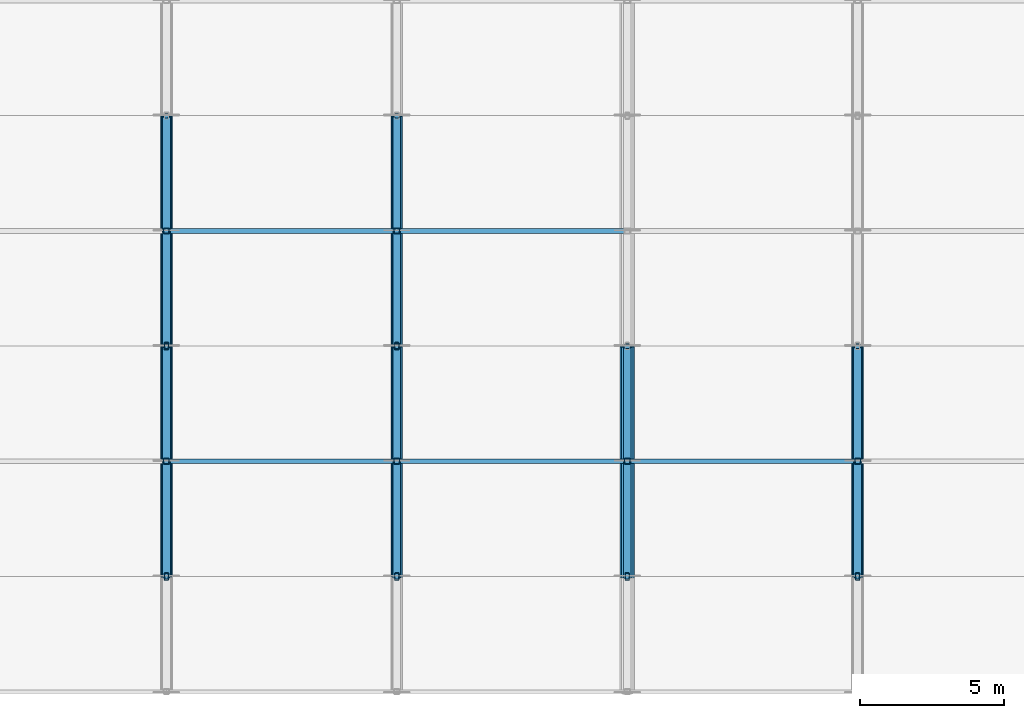
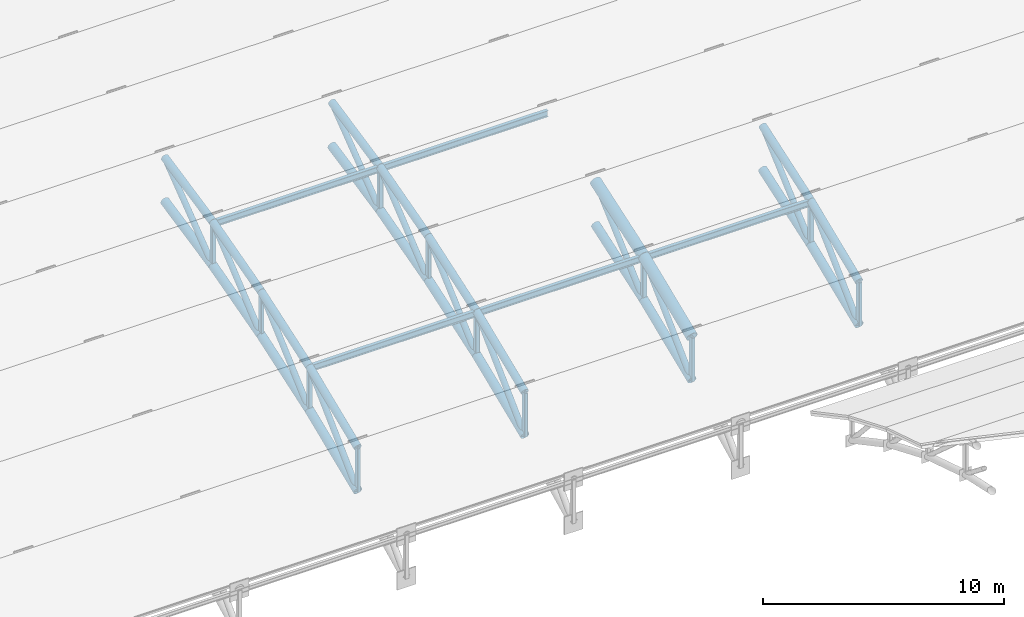
# One storey, part 46 of 98: 53 members.
"""IFC4 building model written with IfcOpenShell, lengths in metres."""

from ifc_helpers import new_model, si_unit, direction, frame, origin, origin_2d, place, context, subcontext, project, spatial, hollow_rectangle, hollow_circle, i_section, extrude, material, material_profile, profile_set, type_object, element, save


model = new_model("IFC4")

# Units and contexts
model_context = context("Model", 3, precision=1e-05, world=origin(), true_north=direction((0.0, 1.0)))
body_context = subcontext(model_context, "Body", "Model", "MODEL_VIEW")
ifc_project = project(units=[si_unit("LENGTHUNIT", "METRE"), si_unit("AREAUNIT", "SQUARE_METRE"), si_unit("VOLUMEUNIT", "CUBIC_METRE"), si_unit("PLANEANGLEUNIT", "RADIAN"), si_unit("MASSUNIT", "GRAM", prefix="KILO")], contexts=[model_context])

# Site, building, storey
site_placement = place(None, origin())
site = spatial("IfcSite", under=ifc_project, at=site_placement, CompositionType="ELEMENT")
building_placement = place(site_placement, origin())
building = spatial("IfcBuilding", under=site, at=building_placement, Name="Tlacozan Convention Centre", CompositionType="ELEMENT")
storey_placement = place(building_placement, frame((0.0, 0.0, 25.800048828125)))
storey = spatial("IfcBuildingStorey", under=building, at=storey_placement, Name="Roof", CompositionType="ELEMENT", Elevation=25.800048828125)

# Members
ifc_material_1 = material(Name="Steel ASTM A500 Grade C", Category="steel")
ifc_material_profile_1 = material_profile(ifc_material_1, hollow_circle(Radius=0.203125, WallThickness=0.015869140625, at=origin_2d()), Name="OC 406.4x15.9")
ifc_profile_set_1 = profile_set([ifc_material_profile_1], Name="Steel ASTM A500 Grade C")
member_type_1 = type_object("IfcMemberType", Name="Arch Bottom Chord OC 406.4x15.9", PredefinedType="CHORD", material=ifc_profile_set_1)
member_1_placement = place(storey_placement, frame((128.0, 66.0, -10.832275390625), z_axis=(0.0, 0.923948802258, 0.382516157575), x_axis=(-1.0, 0.0, 0.0)))
element("IfcMember", 1, at=member_1_placement, inside=storey, type_object=member_type_1, Name="V2A Roof Truss 17 Bottom Chord 2", PredefinedType="CHORD", context=body_context, shape_type="SweptSolid", body=[
    extrude(hollow_circle(Radius=0.203125, WallThickness=0.015869140625, at=origin_2d()), origin(), (0.0, 0.0, 1.0), 4.329345703125),
])
member_2_placement = place(storey_placement, frame((128.0, 70.0, -9.17626953125), z_axis=(0.0, 0.946164915813, 0.323684958077), x_axis=(-1.0, 0.0, 0.0)))
element("IfcMember", 2, at=member_2_placement, inside=storey, type_object=member_type_1, Name="V2A Roof Truss 17 Bottom Chord 3", PredefinedType="CHORD", context=body_context, shape_type="SweptSolid", body=[
    extrude(hollow_circle(Radius=0.203125, WallThickness=0.015869140625, at=origin_2d()), origin(), (0.0, 0.0, 1.0), 4.2275390625),
])
member_3_placement = place(storey_placement, frame((128.0, 74.0, -7.807861328125), z_axis=(0.0, 0.964289609145, 0.26485005134), x_axis=(-1.0, 0.0, 0.0)))
element("IfcMember", 3, at=member_3_placement, inside=storey, type_object=member_type_1, Name="V2A Roof Truss 17 Bottom Chord 4", PredefinedType="CHORD", context=body_context, shape_type="SweptSolid", body=[
    extrude(hollow_circle(Radius=0.203125, WallThickness=0.015869140625, at=origin_2d()), origin(), (0.0, 0.0, 1.0), 4.148193359375),
])
member_4_placement = place(storey_placement, frame((128.0, 78.0, -6.709228515625), z_axis=(0.0, 0.978552953366, 0.205995430674), x_axis=(-1.0, 0.0, 0.0)))
element("IfcMember", 4, at=member_4_placement, inside=storey, type_object=member_type_1, Name="V2A Roof Truss 17 Bottom Chord 5", PredefinedType="CHORD", context=body_context, shape_type="SweptSolid", body=[
    extrude(hollow_circle(Radius=0.203125, WallThickness=0.015869140625, at=origin_2d()), origin(), (0.0, 0.0, 1.0), 4.087646484375),
])
member_5_placement = place(storey_placement, frame((136.0, 66.0, -10.832275390625), z_axis=(0.0, 0.923948802258, 0.382516157575), x_axis=(-1.0, 0.0, 0.0)))
element("IfcMember", 5, at=member_5_placement, inside=storey, type_object=member_type_1, Name="V2A Roof Truss 18 Bottom Chord 2", PredefinedType="CHORD", context=body_context, shape_type="SweptSolid", body=[
    extrude(hollow_circle(Radius=0.203125, WallThickness=0.015869140625, at=origin_2d()), origin(), (0.0, 0.0, 1.0), 4.329345703125),
])
member_6_placement = place(storey_placement, frame((136.0, 70.0, -9.17626953125), z_axis=(0.0, 0.946164915813, 0.323684958077), x_axis=(-1.0, 0.0, 0.0)))
element("IfcMember", 6, at=member_6_placement, inside=storey, type_object=member_type_1, Name="V2A Roof Truss 18 Bottom Chord 3", PredefinedType="CHORD", context=body_context, shape_type="SweptSolid", body=[
    extrude(hollow_circle(Radius=0.203125, WallThickness=0.015869140625, at=origin_2d()), origin(), (0.0, 0.0, 1.0), 4.2275390625),
])
member_7_placement = place(storey_placement, frame((136.0, 74.0, -7.807861328125), z_axis=(0.0, 0.964289609145, 0.26485005134), x_axis=(-1.0, 0.0, 0.0)))
element("IfcMember", 7, at=member_7_placement, inside=storey, type_object=member_type_1, Name="V2A Roof Truss 18 Bottom Chord 4", PredefinedType="CHORD", context=body_context, shape_type="SweptSolid", body=[
    extrude(hollow_circle(Radius=0.203125, WallThickness=0.015869140625, at=origin_2d()), origin(), (0.0, 0.0, 1.0), 4.148193359375),
])
member_8_placement = place(storey_placement, frame((136.0, 78.0, -6.709228515625), z_axis=(0.0, 0.978552953366, 0.205995430674), x_axis=(-1.0, 0.0, 0.0)))
element("IfcMember", 8, at=member_8_placement, inside=storey, type_object=member_type_1, Name="V2A Roof Truss 18 Bottom Chord 5", PredefinedType="CHORD", context=body_context, shape_type="SweptSolid", body=[
    extrude(hollow_circle(Radius=0.203125, WallThickness=0.015869140625, at=origin_2d()), origin(), (0.0, 0.0, 1.0), 4.087646484375),
])
member_9_placement = place(storey_placement, frame((144.0, 66.0, -10.832275390625), z_axis=(0.0, 0.923948802258, 0.382516157575), x_axis=(-1.0, 0.0, 0.0)))
element("IfcMember", 9, at=member_9_placement, inside=storey, type_object=member_type_1, Name="V2A Roof Truss 19 Bottom Chord 2", PredefinedType="CHORD", context=body_context, shape_type="SweptSolid", body=[
    extrude(hollow_circle(Radius=0.203125, WallThickness=0.015869140625, at=origin_2d()), origin(), (0.0, 0.0, 1.0), 4.329345703125),
])
member_10_placement = place(storey_placement, frame((144.0, 70.0, -9.17626953125), z_axis=(0.0, 0.946164915813, 0.323684958077), x_axis=(-1.0, 0.0, 0.0)))
element("IfcMember", 10, at=member_10_placement, inside=storey, type_object=member_type_1, Name="V2A Roof Truss 19 Bottom Chord 3", PredefinedType="CHORD", context=body_context, shape_type="SweptSolid", body=[
    extrude(hollow_circle(Radius=0.203125, WallThickness=0.015869140625, at=origin_2d()), origin(), (0.0, 0.0, 1.0), 4.2275390625),
])
member_11_placement = place(storey_placement, frame((152.0, 66.0, -10.832275390625), z_axis=(0.0, 0.923948802258, 0.382516157575), x_axis=(-1.0, 0.0, 0.0)))
element("IfcMember", 11, at=member_11_placement, inside=storey, type_object=member_type_1, Name="V2A Roof Truss 20 Bottom Chord 2", PredefinedType="CHORD", context=body_context, shape_type="SweptSolid", body=[
    extrude(hollow_circle(Radius=0.203125, WallThickness=0.015869140625, at=origin_2d()), origin(), (0.0, 0.0, 1.0), 4.329345703125),
])
member_12_placement = place(storey_placement, frame((152.0, 70.0, -9.17626953125), z_axis=(0.0, 0.946164915813, 0.323684958077), x_axis=(-1.0, 0.0, 0.0)))
element("IfcMember", 12, at=member_12_placement, inside=storey, type_object=member_type_1, Name="V2A Roof Truss 20 Bottom Chord 3", PredefinedType="CHORD", context=body_context, shape_type="SweptSolid", body=[
    extrude(hollow_circle(Radius=0.203125, WallThickness=0.015869140625, at=origin_2d()), origin(), (0.0, 0.0, 1.0), 4.2275390625),
])
ifc_material_profile_2 = material_profile(ifc_material_1, hollow_circle(Radius=0.25390625, WallThickness=0.01904296875, at=origin_2d()), Name="OC 508.0x19.1")
ifc_profile_set_2 = profile_set([ifc_material_profile_2], Name="Steel ASTM A500 Grade C")
member_type_2 = type_object("IfcMemberType", Name="Arch Top Chord OC 508x19.1", PredefinedType="CHORD", material=ifc_profile_set_2)
member_13_placement = place(storey_placement, frame((144.0, 66.0, -8.63232421875), z_axis=(0.0, 0.923928870591, 0.382564297979), x_axis=(-1.0, 0.0, 0.0)))
element("IfcMember", 13, at=member_13_placement, inside=storey, type_object=member_type_2, Name="V2A Roof Truss 19 Top Chord 2", PredefinedType="CHORD", context=body_context, shape_type="SweptSolid", body=[
    extrude(hollow_circle(Radius=0.25390625, WallThickness=0.01904296875, at=origin_2d()), origin(), (0.0, 0.0, 1.0), 4.329345703125),
])
member_14_placement = place(storey_placement, frame((144.0, 70.0, -6.97607421875), z_axis=(0.0, 0.946164915813, 0.323684958077), x_axis=(-1.0, 0.0, 0.0)))
element("IfcMember", 14, at=member_14_placement, inside=storey, type_object=member_type_2, Name="V2A Roof Truss 19 Top Chord 3", PredefinedType="CHORD", context=body_context, shape_type="SweptSolid", body=[
    extrude(hollow_circle(Radius=0.25390625, WallThickness=0.01904296875, at=origin_2d()), origin(), (0.0, 0.0, 1.0), 4.2275390625),
])
ifc_material_profile_3 = material_profile(ifc_material_1, hollow_circle(Radius=0.136474609375, WallThickness=0.0126953125, at=origin_2d()), Name="OC 273.1x12.7")
ifc_profile_set_3 = profile_set([ifc_material_profile_3], Name="Steel ASTM A500 Grade C")
member_type_3 = type_object("IfcMemberType", Name="Arch Web Diagonal OC 273.1x12.7", PredefinedType="BRACE", material=ifc_profile_set_3)
member_15_placement = place(storey_placement, frame((128.0, 66.0, -10.832275390625), z_axis=(0.0, 0.719928977367, 0.694047741547), x_axis=(-1.0, 0.0, 0.0)))
element("IfcMember", 15, at=member_15_placement, inside=storey, type_object=member_type_3, Name="V2A Roof Truss 17 Web Diagonal 2", PredefinedType="BRACE", context=body_context, shape_type="SweptSolid", body=[
    extrude(hollow_circle(Radius=0.136474609375, WallThickness=0.0126953125, at=origin_2d()), origin(), (0.0, 0.0, 1.0), 5.55615234375),
])
member_16_placement = place(storey_placement, frame((128.0, 70.0, -9.17626953125), z_axis=(0.0, 0.746199427712, 0.665722475272), x_axis=(-1.0, 0.0, 0.0)))
element("IfcMember", 16, at=member_16_placement, inside=storey, type_object=member_type_3, Name="V2A Roof Truss 17 Web Diagonal 3", PredefinedType="BRACE", context=body_context, shape_type="SweptSolid", body=[
    extrude(hollow_circle(Radius=0.136474609375, WallThickness=0.0126953125, at=origin_2d()), origin(), (0.0, 0.0, 1.0), 5.360595703125),
])
member_17_placement = place(storey_placement, frame((128.0, 74.0, -7.807861328125), z_axis=(0.0, 0.771507331308, 0.63622043172), x_axis=(-1.0, 0.0, 0.0)))
element("IfcMember", 17, at=member_17_placement, inside=storey, type_object=member_type_3, Name="V2A Roof Truss 17 Web Diagonal 4", PredefinedType="BRACE", context=body_context, shape_type="SweptSolid", body=[
    extrude(hollow_circle(Radius=0.136474609375, WallThickness=0.0126953125, at=origin_2d()), origin(), (0.0, 0.0, 1.0), 5.1845703125),
])
member_18_placement = place(storey_placement, frame((128.0, 78.0, -6.709228515625), z_axis=(0.0, 0.795971176065, 0.605334524766), x_axis=(-1.0, 0.0, 0.0)))
element("IfcMember", 18, at=member_18_placement, inside=storey, type_object=member_type_3, Name="V2A Roof Truss 17 Web Diagonal 5", PredefinedType="BRACE", context=body_context, shape_type="SweptSolid", body=[
    extrude(hollow_circle(Radius=0.136474609375, WallThickness=0.0126953125, at=origin_2d()), origin(), (0.0, 0.0, 1.0), 5.025390625),
])
member_19_placement = place(storey_placement, frame((136.0, 66.0, -10.832275390625), z_axis=(0.0, 0.719928977367, 0.694047741547), x_axis=(-1.0, 0.0, 0.0)))
element("IfcMember", 19, at=member_19_placement, inside=storey, type_object=member_type_3, Name="V2A Roof Truss 18 Web Diagonal 2", PredefinedType="BRACE", context=body_context, shape_type="SweptSolid", body=[
    extrude(hollow_circle(Radius=0.136474609375, WallThickness=0.0126953125, at=origin_2d()), origin(), (0.0, 0.0, 1.0), 5.55615234375),
])
member_20_placement = place(storey_placement, frame((136.0, 70.0, -9.17626953125), z_axis=(0.0, 0.746199427712, 0.665722475272), x_axis=(-1.0, 0.0, 0.0)))
element("IfcMember", 20, at=member_20_placement, inside=storey, type_object=member_type_3, Name="V2A Roof Truss 18 Web Diagonal 3", PredefinedType="BRACE", context=body_context, shape_type="SweptSolid", body=[
    extrude(hollow_circle(Radius=0.136474609375, WallThickness=0.0126953125, at=origin_2d()), origin(), (0.0, 0.0, 1.0), 5.360595703125),
])
member_21_placement = place(storey_placement, frame((136.0, 74.0, -7.807861328125), z_axis=(0.0, 0.771507331308, 0.63622043172), x_axis=(-1.0, 0.0, 0.0)))
element("IfcMember", 21, at=member_21_placement, inside=storey, type_object=member_type_3, Name="V2A Roof Truss 18 Web Diagonal 4", PredefinedType="BRACE", context=body_context, shape_type="SweptSolid", body=[
    extrude(hollow_circle(Radius=0.136474609375, WallThickness=0.0126953125, at=origin_2d()), origin(), (0.0, 0.0, 1.0), 5.1845703125),
])
member_22_placement = place(storey_placement, frame((136.0, 78.0, -6.709228515625), z_axis=(0.0, 0.795971176065, 0.605334524766), x_axis=(-1.0, 0.0, 0.0)))
element("IfcMember", 22, at=member_22_placement, inside=storey, type_object=member_type_3, Name="V2A Roof Truss 18 Web Diagonal 5", PredefinedType="BRACE", context=body_context, shape_type="SweptSolid", body=[
    extrude(hollow_circle(Radius=0.136474609375, WallThickness=0.0126953125, at=origin_2d()), origin(), (0.0, 0.0, 1.0), 5.025390625),
])
member_23_placement = place(storey_placement, frame((144.0, 66.0, -10.832275390625), z_axis=(0.0, 0.719928977367, 0.694047741547), x_axis=(-1.0, 0.0, 0.0)))
element("IfcMember", 23, at=member_23_placement, inside=storey, type_object=member_type_3, Name="V2A Roof Truss 19 Web Diagonal 2", PredefinedType="BRACE", context=body_context, shape_type="SweptSolid", body=[
    extrude(hollow_circle(Radius=0.136474609375, WallThickness=0.0126953125, at=origin_2d()), origin(), (0.0, 0.0, 1.0), 5.55615234375),
])
member_24_placement = place(storey_placement, frame((144.0, 70.0, -9.17626953125), z_axis=(0.0, 0.746199427712, 0.665722475272), x_axis=(-1.0, 0.0, 0.0)))
element("IfcMember", 24, at=member_24_placement, inside=storey, type_object=member_type_3, Name="V2A Roof Truss 19 Web Diagonal 3", PredefinedType="BRACE", context=body_context, shape_type="SweptSolid", body=[
    extrude(hollow_circle(Radius=0.136474609375, WallThickness=0.0126953125, at=origin_2d()), origin(), (0.0, 0.0, 1.0), 5.360595703125),
])
member_25_placement = place(storey_placement, frame((152.0, 66.0, -10.832275390625), z_axis=(0.0, 0.719928977367, 0.694047741547), x_axis=(-1.0, 0.0, 0.0)))
element("IfcMember", 25, at=member_25_placement, inside=storey, type_object=member_type_3, Name="V2A Roof Truss 20 Web Diagonal 2", PredefinedType="BRACE", context=body_context, shape_type="SweptSolid", body=[
    extrude(hollow_circle(Radius=0.136474609375, WallThickness=0.0126953125, at=origin_2d()), origin(), (0.0, 0.0, 1.0), 5.55615234375),
])
member_26_placement = place(storey_placement, frame((152.0, 70.0, -9.17626953125), z_axis=(0.0, 0.746199427712, 0.665722475272), x_axis=(-1.0, 0.0, 0.0)))
element("IfcMember", 26, at=member_26_placement, inside=storey, type_object=member_type_3, Name="V2A Roof Truss 20 Web Diagonal 3", PredefinedType="BRACE", context=body_context, shape_type="SweptSolid", body=[
    extrude(hollow_circle(Radius=0.136474609375, WallThickness=0.0126953125, at=origin_2d()), origin(), (0.0, 0.0, 1.0), 5.360595703125),
])
ifc_material_profile_4 = material_profile(ifc_material_1, hollow_rectangle(XDim=0.203125, YDim=0.203125, WallThickness=0.0126953125, InnerFilletRadius=0.0126953125, OuterFilletRadius=0.02490234375, at=origin_2d()), Name="OR 203x203x12.7")
ifc_profile_set_4 = profile_set([ifc_material_profile_4], Name="Steel ASTM A500 Grade C")
member_type_4 = type_object("IfcMemberType", Name="Arch Web Strut OR 203x203x12.7", PredefinedType="STRUT", material=ifc_profile_set_4)
member_27_placement = place(storey_placement, frame((128.0, 70.0, -9.17626953125), z_axis=(0.0, 0.0, 1.0), x_axis=(1.0, 0.0, 0.0)))
element("IfcMember", 27, at=member_27_placement, inside=storey, type_object=member_type_4, Name="V2A Roof Truss 17 Vertical Strut 3", PredefinedType="STRUT", context=body_context, shape_type="SweptSolid", body=[
    extrude(hollow_rectangle(XDim=0.203125, YDim=0.203125, WallThickness=0.0126953125, InnerFilletRadius=0.0126953125, OuterFilletRadius=0.02490234375, at=origin_2d()), origin(), (0.0, 0.0, 1.0), 2.2001953125),
])
member_28_placement = place(storey_placement, frame((128.0, 78.0, -6.709228515625), z_axis=(0.0, 0.0, 1.0), x_axis=(1.0, 0.0, 0.0)))
element("IfcMember", 28, at=member_28_placement, inside=storey, type_object=member_type_4, Name="V2A Roof Truss 17 Vertical Strut 5", PredefinedType="STRUT", context=body_context, shape_type="SweptSolid", body=[
    extrude(hollow_rectangle(XDim=0.203125, YDim=0.203125, WallThickness=0.0126953125, InnerFilletRadius=0.0126953125, OuterFilletRadius=0.02490234375, at=origin_2d()), origin(), (0.0, 0.0, 1.0), 2.199951171875),
])
member_29_placement = place(storey_placement, frame((136.0, 70.0, -9.17626953125), z_axis=(0.0, 0.0, 1.0), x_axis=(1.0, 0.0, 0.0)))
element("IfcMember", 29, at=member_29_placement, inside=storey, type_object=member_type_4, Name="V2A Roof Truss 18 Vertical Strut 3", PredefinedType="STRUT", context=body_context, shape_type="SweptSolid", body=[
    extrude(hollow_rectangle(XDim=0.203125, YDim=0.203125, WallThickness=0.0126953125, InnerFilletRadius=0.0126953125, OuterFilletRadius=0.02490234375, at=origin_2d()), origin(), (0.0, 0.0, 1.0), 2.2001953125),
])
member_30_placement = place(storey_placement, frame((136.0, 78.0, -6.709228515625), z_axis=(0.0, 0.0, 1.0), x_axis=(1.0, 0.0, 0.0)))
element("IfcMember", 30, at=member_30_placement, inside=storey, type_object=member_type_4, Name="V2A Roof Truss 18 Vertical Strut 5", PredefinedType="STRUT", context=body_context, shape_type="SweptSolid", body=[
    extrude(hollow_rectangle(XDim=0.203125, YDim=0.203125, WallThickness=0.0126953125, InnerFilletRadius=0.0126953125, OuterFilletRadius=0.02490234375, at=origin_2d()), origin(), (0.0, 0.0, 1.0), 2.199951171875),
])
for number, where, z_axis, x_axis, name in (
    (31, (144.0, 70.0, -9.17626953125), (0.0, 0.0, 1.0), (1.0, 0.0, 0.0), "V2A Roof Truss 19 Vertical Strut 3"),
    (32, (152.0, 70.0, -9.17626953125), (0.0, 0.0, 1.0), (1.0, 0.0, 0.0), "V2A Roof Truss 20 Vertical Strut 3"),
):
    element("IfcMember", number, at=place(storey_placement, frame(where, z_axis=z_axis, x_axis=x_axis)), inside=storey, type_object=member_type_4, Name=name, PredefinedType="STRUT", context=body_context, shape_type="SweptSolid", body=[
        extrude(hollow_rectangle(XDim=0.203125, YDim=0.203125, WallThickness=0.0126953125, InnerFilletRadius=0.0126953125, OuterFilletRadius=0.02490234375, at=origin_2d()), origin(), (0.0, 0.0, 1.0), 2.2001953125),
    ])
ifc_material_2 = material(Name="Steel ASTM A992 Grade 50", Category="steel")
ifc_material_profile_5 = material_profile(ifc_material_2, i_section(OverallWidth=0.1669921875, OverallDepth=0.31689453125, WebThickness=0.007568359375, FlangeThickness=0.01318359375, FilletRadius=0.010009765625, at=origin_2d()), Name="IR 305x52.2")
ifc_profile_set_5 = profile_set([ifc_material_profile_5], Name="Steel ASTM A992 Grade 50")
member_type_5 = type_object("IfcMemberType", Name="Roof Purlin IR 305x52.2", PredefinedType="PURLIN", material=ifc_profile_set_5)
for number, where, z_axis, x_axis, name in (
    (33, (128.0, 70.0, -7.041259765625), (1.0, 0.0, 0.0), (0.0, 1.0, 0.0), "V2A Roof Truss Purlin 17.3"),
    (34, (128.0, 78.0, -4.57421875), (1.0, 0.0, 0.0), (0.0, 1.0, 0.0), "V2A Roof Truss Purlin 17.5"),
    (35, (136.0, 70.0, -7.041259765625), (1.0, 0.0, 0.0), (0.0, 1.0, 0.0), "V2A Roof Truss Purlin 18.3"),
    (36, (136.0, 78.0, -4.57421875), (1.0, 0.0, 0.0), (0.0, 1.0, 0.0), "V2A Roof Truss Purlin 18.5"),
    (37, (144.0, 70.0, -7.041259765625), (1.0, 0.0, 0.0), (0.0, 1.0, 0.0), "V2A Roof Truss Purlin 19.3"),
):
    element("IfcMember", number, at=place(storey_placement, frame(where, z_axis=z_axis, x_axis=x_axis)), inside=storey, type_object=member_type_5, Name=name, PredefinedType="PURLIN", context=body_context, shape_type="SweptSolid", body=[
        extrude(i_section(OverallWidth=0.1669921875, OverallDepth=0.31689453125, WebThickness=0.007568359375, FlangeThickness=0.01318359375, FilletRadius=0.010009765625, at=origin_2d()), origin(), (0.0, 0.0, 1.0), 8.0),
    ])
ifc_material_profile_6 = material_profile(ifc_material_1, hollow_circle(Radius=0.177734375, WallThickness=0.015869140625, at=origin_2d()), Name="OC 355.6x15.9")
ifc_profile_set_6 = profile_set([ifc_material_profile_6], Name="Steel ASTM A500 Grade C")
member_type_6 = type_object("IfcMemberType", Name="Secondary Arch Chord OC 355.6x15.9", PredefinedType="CHORD", material=ifc_profile_set_6)
member_31_placement = place(storey_placement, frame((128.0, 66.0, -8.63232421875), z_axis=(0.0, 0.923928870591, 0.382564297979), x_axis=(-1.0, 0.0, 0.0)))
element("IfcMember", 38, at=member_31_placement, inside=storey, type_object=member_type_6, Name="V2A Roof Truss 17 Top Chord 2", PredefinedType="CHORD", context=body_context, shape_type="SweptSolid", body=[
    extrude(hollow_circle(Radius=0.177734375, WallThickness=0.015869140625, at=origin_2d()), origin(), (0.0, 0.0, 1.0), 4.329345703125),
])
member_32_placement = place(storey_placement, frame((128.0, 70.0, -6.97607421875), z_axis=(0.0, 0.946164915813, 0.323684958077), x_axis=(-1.0, 0.0, 0.0)))
element("IfcMember", 39, at=member_32_placement, inside=storey, type_object=member_type_6, Name="V2A Roof Truss 17 Top Chord 3", PredefinedType="CHORD", context=body_context, shape_type="SweptSolid", body=[
    extrude(hollow_circle(Radius=0.177734375, WallThickness=0.015869140625, at=origin_2d()), origin(), (0.0, 0.0, 1.0), 4.2275390625),
])
member_33_placement = place(storey_placement, frame((128.0, 74.0, -5.607666015625), z_axis=(0.0, 0.964304639076, 0.264795322949), x_axis=(-1.0, 0.0, 0.0)))
element("IfcMember", 40, at=member_33_placement, inside=storey, type_object=member_type_6, Name="V2A Roof Truss 17 Top Chord 4", PredefinedType="CHORD", context=body_context, shape_type="SweptSolid", body=[
    extrude(hollow_circle(Radius=0.177734375, WallThickness=0.015869140625, at=origin_2d()), origin(), (0.0, 0.0, 1.0), 4.14794921875),
])
member_34_placement = place(storey_placement, frame((128.0, 78.0, -4.50927734375), z_axis=(0.0, 0.978552953366, 0.205995430674), x_axis=(-1.0, 0.0, 0.0)))
element("IfcMember", 41, at=member_34_placement, inside=storey, type_object=member_type_6, Name="V2A Roof Truss 17 Top Chord 5", PredefinedType="CHORD", context=body_context, shape_type="SweptSolid", body=[
    extrude(hollow_circle(Radius=0.177734375, WallThickness=0.015869140625, at=origin_2d()), origin(), (0.0, 0.0, 1.0), 4.087646484375),
])
member_35_placement = place(storey_placement, frame((136.0, 66.0, -8.63232421875), z_axis=(0.0, 0.923928870591, 0.382564297979), x_axis=(-1.0, 0.0, 0.0)))
element("IfcMember", 42, at=member_35_placement, inside=storey, type_object=member_type_6, Name="V2A Roof Truss 18 Top Chord 2", PredefinedType="CHORD", context=body_context, shape_type="SweptSolid", body=[
    extrude(hollow_circle(Radius=0.177734375, WallThickness=0.015869140625, at=origin_2d()), origin(), (0.0, 0.0, 1.0), 4.329345703125),
])
member_36_placement = place(storey_placement, frame((136.0, 70.0, -6.97607421875), z_axis=(0.0, 0.946164915813, 0.323684958077), x_axis=(-1.0, 0.0, 0.0)))
element("IfcMember", 43, at=member_36_placement, inside=storey, type_object=member_type_6, Name="V2A Roof Truss 18 Top Chord 3", PredefinedType="CHORD", context=body_context, shape_type="SweptSolid", body=[
    extrude(hollow_circle(Radius=0.177734375, WallThickness=0.015869140625, at=origin_2d()), origin(), (0.0, 0.0, 1.0), 4.2275390625),
])
member_37_placement = place(storey_placement, frame((136.0, 74.0, -5.607666015625), z_axis=(0.0, 0.964304639076, 0.264795322949), x_axis=(-1.0, 0.0, 0.0)))
element("IfcMember", 44, at=member_37_placement, inside=storey, type_object=member_type_6, Name="V2A Roof Truss 18 Top Chord 4", PredefinedType="CHORD", context=body_context, shape_type="SweptSolid", body=[
    extrude(hollow_circle(Radius=0.177734375, WallThickness=0.015869140625, at=origin_2d()), origin(), (0.0, 0.0, 1.0), 4.14794921875),
])
member_38_placement = place(storey_placement, frame((136.0, 78.0, -4.50927734375), z_axis=(0.0, 0.978552953366, 0.205995430674), x_axis=(-1.0, 0.0, 0.0)))
element("IfcMember", 45, at=member_38_placement, inside=storey, type_object=member_type_6, Name="V2A Roof Truss 18 Top Chord 5", PredefinedType="CHORD", context=body_context, shape_type="SweptSolid", body=[
    extrude(hollow_circle(Radius=0.177734375, WallThickness=0.015869140625, at=origin_2d()), origin(), (0.0, 0.0, 1.0), 4.087646484375),
])
member_39_placement = place(storey_placement, frame((152.0, 66.0, -8.63232421875), z_axis=(0.0, 0.923928870591, 0.382564297979), x_axis=(-1.0, 0.0, 0.0)))
element("IfcMember", 46, at=member_39_placement, inside=storey, type_object=member_type_6, Name="V2A Roof Truss 20 Top Chord 2", PredefinedType="CHORD", context=body_context, shape_type="SweptSolid", body=[
    extrude(hollow_circle(Radius=0.177734375, WallThickness=0.015869140625, at=origin_2d()), origin(), (0.0, 0.0, 1.0), 4.329345703125),
])
member_40_placement = place(storey_placement, frame((152.0, 70.0, -6.97607421875), z_axis=(0.0, 0.946164915813, 0.323684958077), x_axis=(-1.0, 0.0, 0.0)))
element("IfcMember", 47, at=member_40_placement, inside=storey, type_object=member_type_6, Name="V2A Roof Truss 20 Top Chord 3", PredefinedType="CHORD", context=body_context, shape_type="SweptSolid", body=[
    extrude(hollow_circle(Radius=0.177734375, WallThickness=0.015869140625, at=origin_2d()), origin(), (0.0, 0.0, 1.0), 4.2275390625),
])
ifc_material_profile_7 = material_profile(ifc_material_1, hollow_rectangle(XDim=0.15234375, YDim=0.25390625, WallThickness=0.0126953125, InnerFilletRadius=0.0126953125, OuterFilletRadius=0.02490234375, at=origin_2d()), Name="OR 254x152x12.7")
ifc_profile_set_7 = profile_set([ifc_material_profile_7], Name="Steel ASTM A500 Grade C")
member_type_7 = type_object("IfcMemberType", Name="Truss Secondary Strut OR 254x152x12.7", PredefinedType="STRUT", material=ifc_profile_set_7)
member_41_placement = place(storey_placement, frame((128.0, 66.0, -10.832275390625), z_axis=(0.0, 0.0, 1.0), x_axis=(1.0, 0.0, 0.0)))
element("IfcMember", 48, at=member_41_placement, inside=storey, type_object=member_type_7, Name="V2A Roof Truss 17 Vertical Strut 2", PredefinedType="STRUT", context=body_context, shape_type="SweptSolid", body=[
    extrude(hollow_rectangle(XDim=0.15234375, YDim=0.25390625, WallThickness=0.0126953125, InnerFilletRadius=0.0126953125, OuterFilletRadius=0.02490234375, at=origin_2d()), origin(), (0.0, 0.0, 1.0), 2.199951171875),
])
member_42_placement = place(storey_placement, frame((128.0, 74.0, -7.807861328125), z_axis=(0.0, 0.0, 1.0), x_axis=(1.0, 0.0, 0.0)))
element("IfcMember", 49, at=member_42_placement, inside=storey, type_object=member_type_7, Name="V2A Roof Truss 17 Vertical Strut 4", PredefinedType="STRUT", context=body_context, shape_type="SweptSolid", body=[
    extrude(hollow_rectangle(XDim=0.15234375, YDim=0.25390625, WallThickness=0.0126953125, InnerFilletRadius=0.0126953125, OuterFilletRadius=0.02490234375, at=origin_2d()), origin(), (0.0, 0.0, 1.0), 2.2001953125),
])
member_43_placement = place(storey_placement, frame((136.0, 66.0, -10.832275390625), z_axis=(0.0, 0.0, 1.0), x_axis=(1.0, 0.0, 0.0)))
element("IfcMember", 50, at=member_43_placement, inside=storey, type_object=member_type_7, Name="V2A Roof Truss 18 Vertical Strut 2", PredefinedType="STRUT", context=body_context, shape_type="SweptSolid", body=[
    extrude(hollow_rectangle(XDim=0.15234375, YDim=0.25390625, WallThickness=0.0126953125, InnerFilletRadius=0.0126953125, OuterFilletRadius=0.02490234375, at=origin_2d()), origin(), (0.0, 0.0, 1.0), 2.199951171875),
])
member_44_placement = place(storey_placement, frame((136.0, 74.0, -7.807861328125), z_axis=(0.0, 0.0, 1.0), x_axis=(1.0, 0.0, 0.0)))
element("IfcMember", 51, at=member_44_placement, inside=storey, type_object=member_type_7, Name="V2A Roof Truss 18 Vertical Strut 4", PredefinedType="STRUT", context=body_context, shape_type="SweptSolid", body=[
    extrude(hollow_rectangle(XDim=0.15234375, YDim=0.25390625, WallThickness=0.0126953125, InnerFilletRadius=0.0126953125, OuterFilletRadius=0.02490234375, at=origin_2d()), origin(), (0.0, 0.0, 1.0), 2.2001953125),
])
for number, where, z_axis, x_axis, name in (
    (52, (144.0, 66.0, -10.832275390625), (0.0, 0.0, 1.0), (1.0, 0.0, 0.0), "V2A Roof Truss 19 Vertical Strut 2"),
    (53, (152.0, 66.0, -10.832275390625), (0.0, 0.0, 1.0), (1.0, 0.0, 0.0), "V2A Roof Truss 20 Vertical Strut 2"),
):
    element("IfcMember", number, at=place(storey_placement, frame(where, z_axis=z_axis, x_axis=x_axis)), inside=storey, type_object=member_type_7, Name=name, PredefinedType="STRUT", context=body_context, shape_type="SweptSolid", body=[
        extrude(hollow_rectangle(XDim=0.15234375, YDim=0.25390625, WallThickness=0.0126953125, InnerFilletRadius=0.0126953125, OuterFilletRadius=0.02490234375, at=origin_2d()), origin(), (0.0, 0.0, 1.0), 2.199951171875),
    ])

save(model, "model.ifc")
